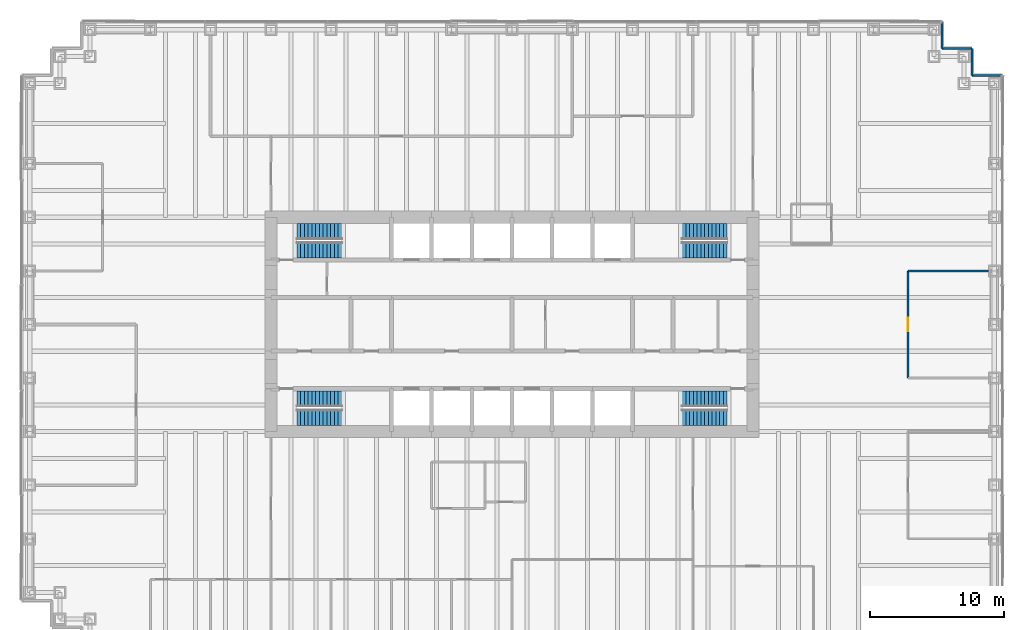
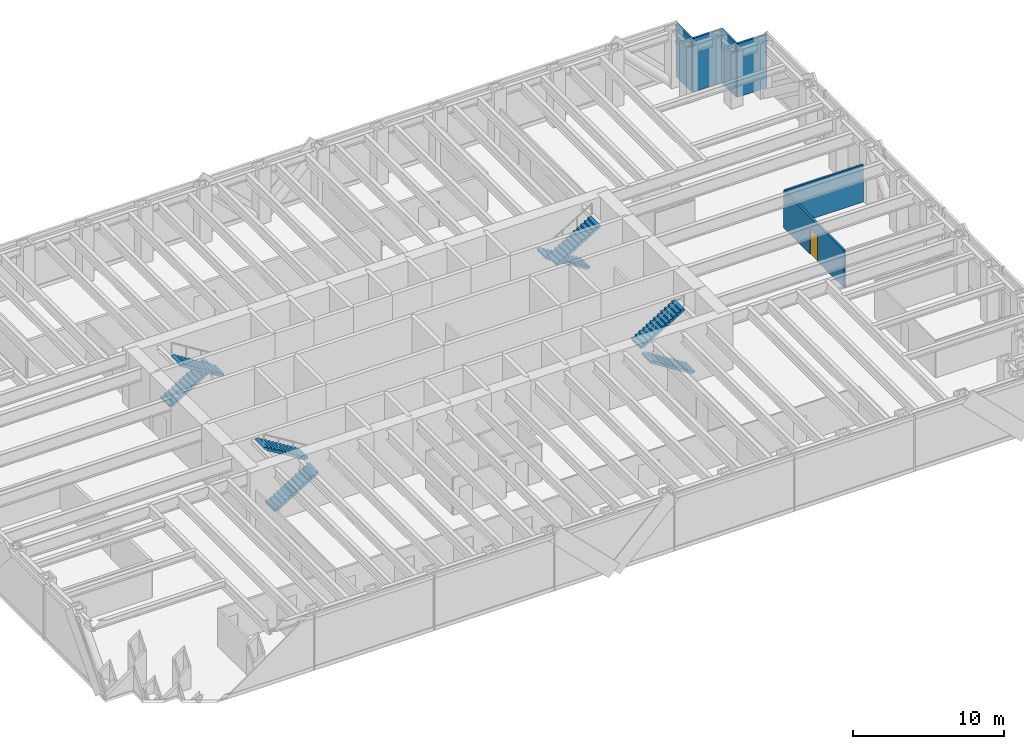
# One storey, part 12 of 13: 8 stair flights, 6 walls, 1 door, 1 opening, 4 elements without a shape of their own.
"""IFC4 building model written with IfcOpenShell, lengths in metres."""

from ifc_helpers import new_model, si_unit, direction, frame, frame_2d, origin, place, context, subcontext, project, spatial, polyline, rectangle, outline, extrude, material, layer, layer_set, type_object, element, fill, aggregate, save


model = new_model("IFC4")

# Units and contexts
model_context = context("Model", 3, precision=1e-05, world=origin(), true_north=direction((0.0, 1.0)))
body_context = subcontext(model_context, "Body", "Model", "MODEL_VIEW")
ifc_project = project(units=[si_unit("LENGTHUNIT", "METRE"), si_unit("AREAUNIT", "SQUARE_METRE"), si_unit("VOLUMEUNIT", "CUBIC_METRE"), si_unit("PLANEANGLEUNIT", "RADIAN"), si_unit("MASSUNIT", "GRAM", prefix="KILO")], contexts=[model_context])

# Site, building, storey
site_placement = place(None, origin())
site = spatial("IfcSite", under=ifc_project, at=site_placement, CompositionType="ELEMENT")
building_placement = place(site_placement, origin())
building = spatial("IfcBuilding", under=site, at=building_placement, Name="Rheinbord Bourse Tower", CompositionType="ELEMENT")
storey_placement = place(building_placement, frame((0.0, 0.0, 63.5)))
storey = spatial("IfcBuildingStorey", under=building, at=storey_placement, Name="L13", CompositionType="ELEMENT", Elevation=63.5)

# Walls
ifc_material_1 = material(Name="Black metal rainscreen panel", Category="aluminium")
ifc_layer_1 = layer(ifc_material_1, 0.14990234375)
ifc_layer_set_1 = layer_set([ifc_layer_1], Name="CORNER PIER CLADDING 150")
wall_type_1 = type_object("IfcWallType", Name="CORNER PIER CLADDING 150", PredefinedType="ELEMENTEDWALL", material=ifc_layer_set_1)
wall_1_placement = place(storey_placement, frame((72.60009765625, 42.60009765625, 0.0), z_axis=(0.0, 0.0, 1.0), x_axis=(-1.0, 0.0, 0.0)))
element("IfcWall", 1, at=wall_1_placement, inside=storey, type_object=wall_type_1, Name="Corner pier cladding L13 7", PredefinedType="ELEMENTEDWALL", context=body_context, shape_type="SweptSolid", body=[
    extrude(rectangle(XDim=2.25, YDim=0.14990234375, at=frame_2d((1.125, 0.0))), origin(), (0.0, 0.0, 1.0), 4.320068359375),
])
wall_2_placement = place(storey_placement, frame((70.35009765625, 42.60009765625, 0.0), z_axis=(0.0, 0.0, 1.0), x_axis=(0.0, 1.0, 0.0)))
element("IfcWall", 2, at=wall_2_placement, inside=storey, type_object=wall_type_1, Name="Corner pier cladding L13 8", PredefinedType="ELEMENTEDWALL", context=body_context, shape_type="SweptSolid", body=[
    extrude(rectangle(XDim=2.0, YDim=0.14990234375, at=frame_2d((1.0, 0.0))), origin(), (0.0, 0.0, 1.0), 4.320068359375),
])
wall_3_placement = place(storey_placement, frame((70.35009765625, 44.60009765625, 0.0), z_axis=(0.0, 0.0, 1.0), x_axis=(-1.0, 0.0, 0.0)))
element("IfcWall", 3, at=wall_3_placement, inside=storey, type_object=wall_type_1, Name="Corner pier cladding L13 9", PredefinedType="ELEMENTEDWALL", context=body_context, shape_type="SweptSolid", body=[
    extrude(rectangle(XDim=2.25, YDim=0.14990234375, at=frame_2d((1.125, 0.0))), origin(), (0.0, 0.0, 1.0), 4.320068359375),
])
wall_4_placement = place(storey_placement, frame((68.10009765625, 44.60009765625, 0.0), z_axis=(0.0, 0.0, 1.0), x_axis=(0.0, 1.0, 0.0)))
element("IfcWall", 4, at=wall_4_placement, inside=storey, type_object=wall_type_1, Name="Corner pier cladding L13 10", PredefinedType="ELEMENTEDWALL", context=body_context, shape_type="SweptSolid", body=[
    extrude(rectangle(XDim=2.0, YDim=0.14990234375, at=frame_2d((1.0, 0.0))), origin(), (0.0, 0.0, 1.0), 4.320068359375),
])
ifc_material_2 = material(Name="Gypsum board partition", Category="gypsum board")
ifc_layer_2 = layer(ifc_material_2, 0.14990234375)
ifc_layer_set_2 = layer_set([ifc_layer_2], Name="PARTITION 150")
wall_type_2 = type_object("IfcWallType", Name="PARTITION 150", PredefinedType="PARTITIONING", material=ifc_layer_set_2)
wall_5_placement = place(storey_placement, frame((65.550048828125, 28.0, 0.0), z_axis=(0.0, 0.0, 1.0), x_axis=(1.0, 0.0, 0.0)))
element("IfcWall", 5, at=wall_5_placement, inside=storey, type_object=wall_type_2, Name="Partition L13-14", PredefinedType="PARTITIONING", context=body_context, shape_type="SweptSolid", body=[
    extrude(rectangle(XDim=6.0, YDim=0.14990234375, at=frame_2d((3.0, 0.0))), origin(), (0.0, 0.0, 1.0), 3.0),
])

# Wall, opening, door
wall_6_placement = place(storey_placement, frame((65.550048828125, 20.0, 0.0), z_axis=(0.0, 0.0, 1.0), x_axis=(0.0, 1.0, 0.0)))
wall_6 = element("IfcWall", 6, at=wall_6_placement, inside=storey, type_object=wall_type_2, Name="Partition L13-44", PredefinedType="PARTITIONING", context=body_context, shape_type="SweptSolid", body=[
    extrude(rectangle(XDim=8.0, YDim=0.14990234375, at=frame_2d((4.0, 0.0))), origin(), (0.0, 0.0, 1.0), 3.0),
])
opening_placement = place(wall_6_placement, frame((3.5, 0.0, 0.0)))
opening = element("IfcOpeningElement", 7, at=opening_placement, cuts=wall_6, Name="Opening 13D13", PredefinedType="OPENING", context=body_context, shape_type="SweptSolid", body=[
    extrude(rectangle(XDim=1.0, YDim=2.10009765625, at=frame_2d((0.5, 1.050048828125))), frame((0.0, 0.0849609375, 0.0), z_axis=(0.0, -1.0, 0.0), x_axis=(1.0, 0.0, 0.0)), (0.0, 0.0, 1.0), 0.169921875),
])
ifc_material_3 = material(Name="Timber door", Category="wood")
door_type = type_object("IfcDoorType", Name="ROOM DOOR 1000", OperationType="SINGLE_SWING_LEFT", PredefinedType="DOOR", material=ifc_material_3)
door_placement = place(opening_placement, origin())
door = element("IfcDoor", 8, at=door_placement, inside=storey, type_object=door_type, Name="Pantry door L13", OperationType="SINGLE_SWING_LEFT", OverallHeight=2.10009765625, OverallWidth=1.0, PredefinedType="DOOR", context=body_context, shape_type="SweptSolid", body=[
    extrude(rectangle(XDim=1.0, YDim=2.10009765625, at=frame_2d((0.5, 1.050048828125))), frame((0.0, 0.02490234375, 0.0), z_axis=(0.0, -1.0, 0.0), x_axis=(1.0, 0.0, 0.0)), (0.0, 0.0, 1.0), 0.050048828125),
])
fill(opening, door)

# Stair, stair flights
ifc_material_4 = material(Name="Concrete C30/37", Category="concrete")
stair_type = type_object("IfcStairType", Name="CORE STAIR HALF TURN 4500", PredefinedType="HALF_TURN_STAIR", material=ifc_material_4)
stair_1_placement = place(storey_placement, origin())
stair_1 = element("IfcStair", 9, at=stair_1_placement, inside=storey, type_object=stair_type, Name="Stair ST1 L13, type CS4", PredefinedType="HALF_TURN_STAIR")
ifc_material_5 = material(Name="Concrete C30/37", Category="concrete")
stair_flight_type = type_object("IfcStairFlightType", Name="CORE STAIR FLIGHT 1200, 13 RISERS", PredefinedType="STRAIGHT", material=ifc_material_5)
stair_flight_1_placement = place(storey_placement, frame((19.949951171875, 17.050048828125, 0.0), z_axis=(0.0, 0.0, 1.0), x_axis=(1.0, 0.0, 0.0)))
stair_flight_1 = element("IfcStairFlight", 10, at=stair_flight_1_placement, type_object=stair_flight_type, Name="STAIR L13 ST1 F1", NumberOfRisers=13, NumberOfTreads=12, PredefinedType="STRAIGHT", RiserHeight=0.173076923, TreadLength=0.28, context=body_context, shape_type="SweptSolid", body=[
    extrude(outline(polyline([(0.0, 0.0), (0.0, 0.173095703125), (0.280029296875, 0.173095703125), (0.280029296875, 0.34619140625), (0.56005859375, 0.34619140625), (0.56005859375, 0.519287109375), (0.840087890625, 0.519287109375), (0.840087890625, 0.6923828125), (1.1201171875, 0.6923828125), (1.1201171875, 0.865478515625), (1.39990234375, 0.865478515625), (1.39990234375, 1.03857421875), (1.679931640625, 1.03857421875), (1.679931640625, 1.21142578125), (1.9599609375, 1.21142578125), (1.9599609375, 1.384521484375), (2.239990234375, 1.384521484375), (2.239990234375, 1.5576171875), (2.52001953125, 1.5576171875), (2.52001953125, 1.730712890625), (2.800048828125, 1.730712890625), (2.800048828125, 1.90380859375), (3.080078125, 1.90380859375), (3.080078125, 2.076904296875), (3.360107421875, 2.076904296875), (3.360107421875, 2.25), (3.360107421875, 1.900634765625), (0.28515625, 0.0), (0.0, 0.0)])), frame((0.0, 0.60009765625, 0.0), z_axis=(0.0, -1.0, 0.0), x_axis=(1.0, 0.0, 0.0)), (0.0, 0.0, 1.0), 1.199951171875),
])
stair_flight_2_placement = place(storey_placement, frame((23.31005859375, 18.449951171875, 2.25), z_axis=(0.0, 0.0, 1.0), x_axis=(-1.0, 0.0, 0.0)))
stair_flight_2 = element("IfcStairFlight", 11, at=stair_flight_2_placement, type_object=stair_flight_type, Name="STAIR L13 ST1 F2", NumberOfRisers=13, NumberOfTreads=12, PredefinedType="STRAIGHT", RiserHeight=0.173076923, TreadLength=0.28, context=body_context, shape_type="SweptSolid", body=[
    extrude(outline(polyline([(0.0, 0.0), (0.0, 0.173095703125), (0.280029296875, 0.173095703125), (0.280029296875, 0.34619140625), (0.56005859375, 0.34619140625), (0.56005859375, 0.519287109375), (0.840087890625, 0.519287109375), (0.840087890625, 0.6923828125), (1.1201171875, 0.6923828125), (1.1201171875, 0.865478515625), (1.39990234375, 0.865478515625), (1.39990234375, 1.03857421875), (1.679931640625, 1.03857421875), (1.679931640625, 1.21142578125), (1.9599609375, 1.21142578125), (1.9599609375, 1.384521484375), (2.239990234375, 1.384521484375), (2.239990234375, 1.5576171875), (2.52001953125, 1.5576171875), (2.52001953125, 1.730712890625), (2.800048828125, 1.730712890625), (2.800048828125, 1.90380859375), (3.080078125, 1.90380859375), (3.080078125, 2.076904296875), (3.360107421875, 2.076904296875), (3.360107421875, 2.25), (3.360107421875, 1.900634765625), (0.28515625, 0.0), (0.0, 0.0)])), frame((0.0, 0.60009765625, 0.0), z_axis=(0.0, -1.0, 0.0), x_axis=(1.0, 0.0, 0.0)), (0.0, 0.0, 1.0), 1.199951171875),
])
aggregate(stair_1, [stair_flight_1, stair_flight_2])

stair_2_placement = place(storey_placement, origin())
stair_2 = element("IfcStair", 12, at=stair_2_placement, inside=storey, type_object=stair_type, Name="Stair ST2 L13, type CS4", PredefinedType="HALF_TURN_STAIR")
stair_flight_3_placement = place(storey_placement, frame((19.949951171875, 30.949951171875, 0.0), z_axis=(0.0, 0.0, 1.0), x_axis=(1.0, 0.0, 0.0)))
stair_flight_3 = element("IfcStairFlight", 13, at=stair_flight_3_placement, type_object=stair_flight_type, Name="STAIR L13 ST2 F1", NumberOfRisers=13, NumberOfTreads=12, PredefinedType="STRAIGHT", RiserHeight=0.173076923, TreadLength=0.28, context=body_context, shape_type="SweptSolid", body=[
    extrude(outline(polyline([(0.0, 0.0), (0.0, 0.173095703125), (0.280029296875, 0.173095703125), (0.280029296875, 0.34619140625), (0.56005859375, 0.34619140625), (0.56005859375, 0.519287109375), (0.840087890625, 0.519287109375), (0.840087890625, 0.6923828125), (1.1201171875, 0.6923828125), (1.1201171875, 0.865478515625), (1.39990234375, 0.865478515625), (1.39990234375, 1.03857421875), (1.679931640625, 1.03857421875), (1.679931640625, 1.21142578125), (1.9599609375, 1.21142578125), (1.9599609375, 1.384521484375), (2.239990234375, 1.384521484375), (2.239990234375, 1.5576171875), (2.52001953125, 1.5576171875), (2.52001953125, 1.730712890625), (2.800048828125, 1.730712890625), (2.800048828125, 1.90380859375), (3.080078125, 1.90380859375), (3.080078125, 2.076904296875), (3.360107421875, 2.076904296875), (3.360107421875, 2.25), (3.360107421875, 1.900634765625), (0.28515625, 0.0), (0.0, 0.0)])), frame((0.0, 0.60009765625, 0.0), z_axis=(0.0, -1.0, 0.0), x_axis=(1.0, 0.0, 0.0)), (0.0, 0.0, 1.0), 1.199951171875),
])
stair_flight_4_placement = place(storey_placement, frame((23.31005859375, 29.550048828125, 2.25), z_axis=(0.0, 0.0, 1.0), x_axis=(-1.0, 0.0, 0.0)))
stair_flight_4 = element("IfcStairFlight", 14, at=stair_flight_4_placement, type_object=stair_flight_type, Name="STAIR L13 ST2 F2", NumberOfRisers=13, NumberOfTreads=12, PredefinedType="STRAIGHT", RiserHeight=0.173076923, TreadLength=0.28, context=body_context, shape_type="SweptSolid", body=[
    extrude(outline(polyline([(0.0, 0.0), (0.0, 0.173095703125), (0.280029296875, 0.173095703125), (0.280029296875, 0.34619140625), (0.56005859375, 0.34619140625), (0.56005859375, 0.519287109375), (0.840087890625, 0.519287109375), (0.840087890625, 0.6923828125), (1.1201171875, 0.6923828125), (1.1201171875, 0.865478515625), (1.39990234375, 0.865478515625), (1.39990234375, 1.03857421875), (1.679931640625, 1.03857421875), (1.679931640625, 1.21142578125), (1.9599609375, 1.21142578125), (1.9599609375, 1.384521484375), (2.239990234375, 1.384521484375), (2.239990234375, 1.5576171875), (2.52001953125, 1.5576171875), (2.52001953125, 1.730712890625), (2.800048828125, 1.730712890625), (2.800048828125, 1.90380859375), (3.080078125, 1.90380859375), (3.080078125, 2.076904296875), (3.360107421875, 2.076904296875), (3.360107421875, 2.25), (3.360107421875, 1.900634765625), (0.28515625, 0.0), (0.0, 0.0)])), frame((0.0, 0.60009765625, 0.0), z_axis=(0.0, -1.0, 0.0), x_axis=(1.0, 0.0, 0.0)), (0.0, 0.0, 1.0), 1.199951171875),
])
aggregate(stair_2, [stair_flight_3, stair_flight_4])

stair_3_placement = place(storey_placement, origin())
stair_3 = element("IfcStair", 15, at=stair_3_placement, inside=storey, type_object=stair_type, Name="Stair ST3 L13, type CS4", PredefinedType="HALF_TURN_STAIR")
stair_flight_5_placement = place(storey_placement, frame((52.050048828125, 17.050048828125, 0.0), z_axis=(0.0, 0.0, 1.0), x_axis=(-1.0, 0.0, 0.0)))
stair_flight_5 = element("IfcStairFlight", 16, at=stair_flight_5_placement, type_object=stair_flight_type, Name="STAIR L13 ST3 F1", NumberOfRisers=13, NumberOfTreads=12, PredefinedType="STRAIGHT", RiserHeight=0.173076923, TreadLength=0.28, context=body_context, shape_type="SweptSolid", body=[
    extrude(outline(polyline([(0.0, 0.0), (0.0, 0.173095703125), (0.280029296875, 0.173095703125), (0.280029296875, 0.34619140625), (0.56005859375, 0.34619140625), (0.56005859375, 0.519287109375), (0.840087890625, 0.519287109375), (0.840087890625, 0.6923828125), (1.1201171875, 0.6923828125), (1.1201171875, 0.865478515625), (1.39990234375, 0.865478515625), (1.39990234375, 1.03857421875), (1.679931640625, 1.03857421875), (1.679931640625, 1.21142578125), (1.9599609375, 1.21142578125), (1.9599609375, 1.384521484375), (2.239990234375, 1.384521484375), (2.239990234375, 1.5576171875), (2.52001953125, 1.5576171875), (2.52001953125, 1.730712890625), (2.800048828125, 1.730712890625), (2.800048828125, 1.90380859375), (3.080078125, 1.90380859375), (3.080078125, 2.076904296875), (3.360107421875, 2.076904296875), (3.360107421875, 2.25), (3.360107421875, 1.900634765625), (0.28515625, 0.0), (0.0, 0.0)])), frame((0.0, 0.60009765625, 0.0), z_axis=(0.0, -1.0, 0.0), x_axis=(1.0, 0.0, 0.0)), (0.0, 0.0, 1.0), 1.199951171875),
])
stair_flight_6_placement = place(storey_placement, frame((48.68994140625, 18.449951171875, 2.25), z_axis=(0.0, 0.0, 1.0), x_axis=(1.0, 0.0, 0.0)))
stair_flight_6 = element("IfcStairFlight", 17, at=stair_flight_6_placement, type_object=stair_flight_type, Name="STAIR L13 ST3 F2", NumberOfRisers=13, NumberOfTreads=12, PredefinedType="STRAIGHT", RiserHeight=0.173076923, TreadLength=0.28, context=body_context, shape_type="SweptSolid", body=[
    extrude(outline(polyline([(0.0, 0.0), (0.0, 0.173095703125), (0.280029296875, 0.173095703125), (0.280029296875, 0.34619140625), (0.56005859375, 0.34619140625), (0.56005859375, 0.519287109375), (0.840087890625, 0.519287109375), (0.840087890625, 0.6923828125), (1.1201171875, 0.6923828125), (1.1201171875, 0.865478515625), (1.39990234375, 0.865478515625), (1.39990234375, 1.03857421875), (1.679931640625, 1.03857421875), (1.679931640625, 1.21142578125), (1.9599609375, 1.21142578125), (1.9599609375, 1.384521484375), (2.239990234375, 1.384521484375), (2.239990234375, 1.5576171875), (2.52001953125, 1.5576171875), (2.52001953125, 1.730712890625), (2.800048828125, 1.730712890625), (2.800048828125, 1.90380859375), (3.080078125, 1.90380859375), (3.080078125, 2.076904296875), (3.360107421875, 2.076904296875), (3.360107421875, 2.25), (3.360107421875, 1.900634765625), (0.28515625, 0.0), (0.0, 0.0)])), frame((0.0, 0.60009765625, 0.0), z_axis=(0.0, -1.0, 0.0), x_axis=(1.0, 0.0, 0.0)), (0.0, 0.0, 1.0), 1.199951171875),
])
aggregate(stair_3, [stair_flight_5, stair_flight_6])

stair_4_placement = place(storey_placement, origin())
stair_4 = element("IfcStair", 18, at=stair_4_placement, inside=storey, type_object=stair_type, Name="Stair ST4 L13, type CS4", PredefinedType="HALF_TURN_STAIR")
stair_flight_7_placement = place(storey_placement, frame((52.050048828125, 30.949951171875, 0.0), z_axis=(0.0, 0.0, 1.0), x_axis=(-1.0, 0.0, 0.0)))
stair_flight_7 = element("IfcStairFlight", 19, at=stair_flight_7_placement, type_object=stair_flight_type, Name="STAIR L13 ST4 F1", NumberOfRisers=13, NumberOfTreads=12, PredefinedType="STRAIGHT", RiserHeight=0.173076923, TreadLength=0.28, context=body_context, shape_type="SweptSolid", body=[
    extrude(outline(polyline([(0.0, 0.0), (0.0, 0.173095703125), (0.280029296875, 0.173095703125), (0.280029296875, 0.34619140625), (0.56005859375, 0.34619140625), (0.56005859375, 0.519287109375), (0.840087890625, 0.519287109375), (0.840087890625, 0.6923828125), (1.1201171875, 0.6923828125), (1.1201171875, 0.865478515625), (1.39990234375, 0.865478515625), (1.39990234375, 1.03857421875), (1.679931640625, 1.03857421875), (1.679931640625, 1.21142578125), (1.9599609375, 1.21142578125), (1.9599609375, 1.384521484375), (2.239990234375, 1.384521484375), (2.239990234375, 1.5576171875), (2.52001953125, 1.5576171875), (2.52001953125, 1.730712890625), (2.800048828125, 1.730712890625), (2.800048828125, 1.90380859375), (3.080078125, 1.90380859375), (3.080078125, 2.076904296875), (3.360107421875, 2.076904296875), (3.360107421875, 2.25), (3.360107421875, 1.900634765625), (0.28515625, 0.0), (0.0, 0.0)])), frame((0.0, 0.60009765625, 0.0), z_axis=(0.0, -1.0, 0.0), x_axis=(1.0, 0.0, 0.0)), (0.0, 0.0, 1.0), 1.199951171875),
])
stair_flight_8_placement = place(storey_placement, frame((48.68994140625, 29.550048828125, 2.25), z_axis=(0.0, 0.0, 1.0), x_axis=(1.0, 0.0, 0.0)))
stair_flight_8 = element("IfcStairFlight", 20, at=stair_flight_8_placement, type_object=stair_flight_type, Name="STAIR L13 ST4 F2", NumberOfRisers=13, NumberOfTreads=12, PredefinedType="STRAIGHT", RiserHeight=0.173076923, TreadLength=0.28, context=body_context, shape_type="SweptSolid", body=[
    extrude(outline(polyline([(0.0, 0.0), (0.0, 0.173095703125), (0.280029296875, 0.173095703125), (0.280029296875, 0.34619140625), (0.56005859375, 0.34619140625), (0.56005859375, 0.519287109375), (0.840087890625, 0.519287109375), (0.840087890625, 0.6923828125), (1.1201171875, 0.6923828125), (1.1201171875, 0.865478515625), (1.39990234375, 0.865478515625), (1.39990234375, 1.03857421875), (1.679931640625, 1.03857421875), (1.679931640625, 1.21142578125), (1.9599609375, 1.21142578125), (1.9599609375, 1.384521484375), (2.239990234375, 1.384521484375), (2.239990234375, 1.5576171875), (2.52001953125, 1.5576171875), (2.52001953125, 1.730712890625), (2.800048828125, 1.730712890625), (2.800048828125, 1.90380859375), (3.080078125, 1.90380859375), (3.080078125, 2.076904296875), (3.360107421875, 2.076904296875), (3.360107421875, 2.25), (3.360107421875, 1.900634765625), (0.28515625, 0.0), (0.0, 0.0)])), frame((0.0, 0.60009765625, 0.0), z_axis=(0.0, -1.0, 0.0), x_axis=(1.0, 0.0, 0.0)), (0.0, 0.0, 1.0), 1.199951171875),
])
aggregate(stair_4, [stair_flight_7, stair_flight_8])

save(model, "model.ifc")
